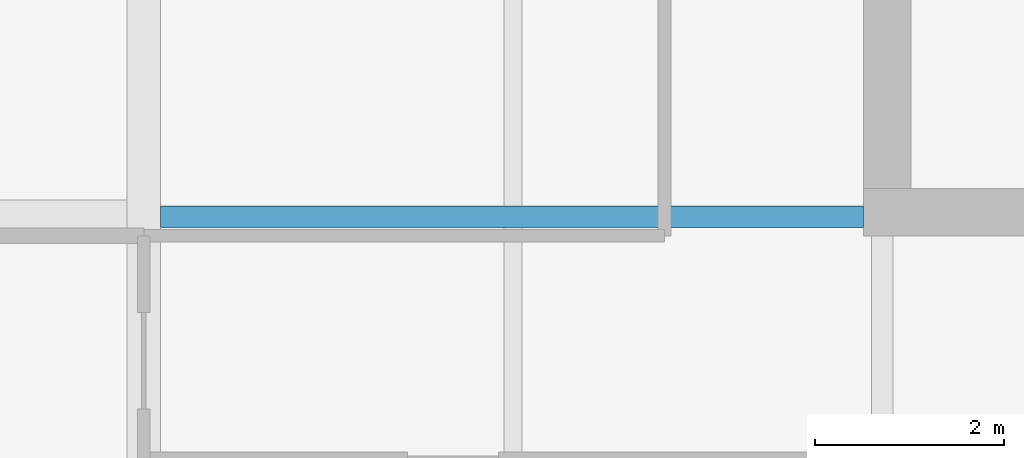
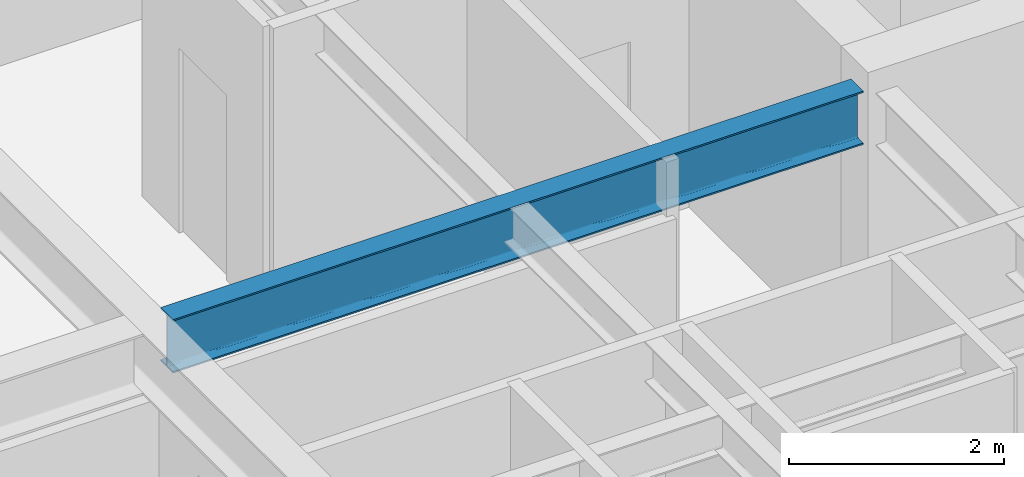
# One storey, part 8 of 32: 1 beam.
"""IFC4 building model written with IfcOpenShell, lengths in metres."""

from ifc_helpers import new_model, si_unit, direction, frame, origin, origin_2d, place, context, subcontext, project, spatial, i_section, extrude, material, material_profile, profile_set, type_object, element, save


model = new_model("IFC4")

# Units and contexts
model_context = context("Model", 3, precision=1e-05, world=origin(), true_north=direction((0.0, 1.0)))
body_context = subcontext(model_context, "Body", "Model", "MODEL_VIEW")
ifc_project = project(units=[si_unit("LENGTHUNIT", "METRE"), si_unit("AREAUNIT", "SQUARE_METRE"), si_unit("VOLUMEUNIT", "CUBIC_METRE"), si_unit("PLANEANGLEUNIT", "RADIAN"), si_unit("MASSUNIT", "GRAM", prefix="KILO")], contexts=[model_context])

# Site, building, storey
site_placement = place(None, origin())
site = spatial("IfcSite", under=ifc_project, at=site_placement, CompositionType="ELEMENT")
building_placement = place(site_placement, origin())
building = spatial("IfcBuilding", under=site, at=building_placement, Name="Drelvath Grand Hotel", CompositionType="ELEMENT")
storey_placement = place(building_placement, frame((0.0, 0.0, 157.5)))
storey = spatial("IfcBuildingStorey", under=building, at=storey_placement, Name="L40", CompositionType="ELEMENT", Elevation=157.5)

# Beam
ifc_material = material(Name="Steel ASTM A992 Gr 50", Category="steel")
ifc_material_profile = material_profile(ifc_material, i_section(OverallWidth=0.228271484375, OverallDepth=0.607666015625, WebThickness=0.01123046875, FlangeThickness=0.017333984375, FilletRadius=0.02001953125, at=origin_2d()), Name="W24X76")
ifc_profile_set = profile_set([ifc_material_profile], Name="Steel ASTM A992 Gr 50")
beam_type = type_object("IfcBeamType", Name="Primary Floor Girder W24X76", PredefinedType="BEAM", material=ifc_profile_set)
beam_placement = place(storey_placement, frame((-16.022705078125, 18.60009765625, 2.986083984375), z_axis=(1.0, 0.0, 0.0), x_axis=(0.0, 1.0, 0.0)))
element("IfcBeam", 1, at=beam_placement, inside=storey, type_object=beam_type, Name="L40 West Core Tie D", PredefinedType="BEAM", context=body_context, shape_type="SweptSolid", body=[
    extrude(i_section(OverallWidth=0.228271484375, OverallDepth=0.607666015625, WebThickness=0.01123046875, FlangeThickness=0.017333984375, FilletRadius=0.02001953125, at=origin_2d()), origin(), (0.0, 0.0, 1.0), 7.422607421875),
])

save(model, "model.ifc")
